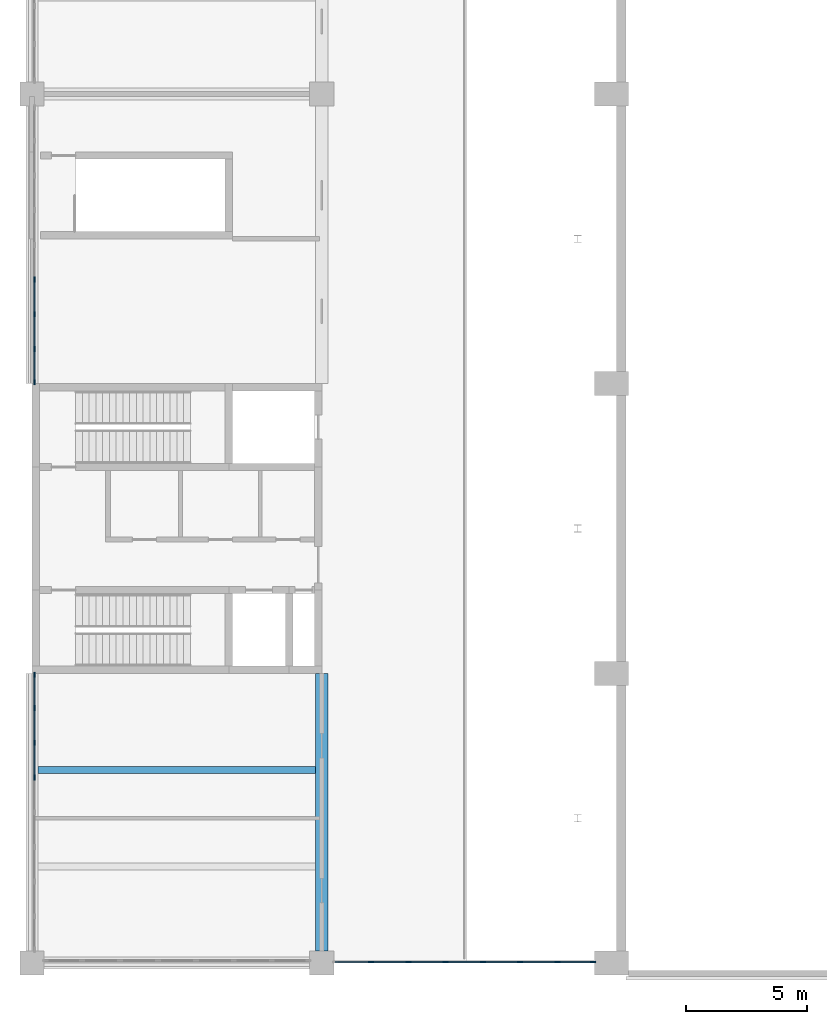
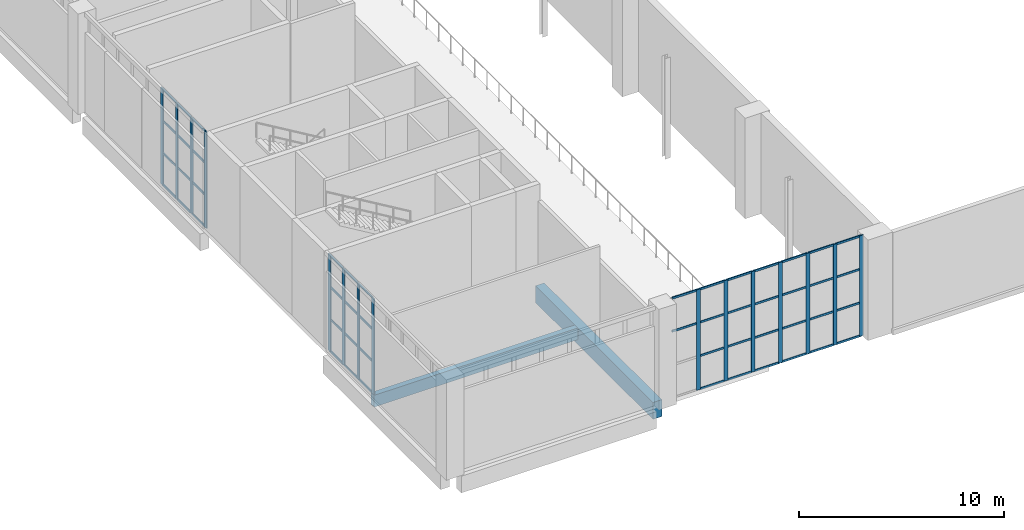
# One storey, part 13 of 72: 65 members, 2 beams, 3 elements without a shape of their own.
"""IFC4 building model written with IfcOpenShell, lengths in metres."""

from ifc_helpers import new_model, si_unit, direction, frame, origin, origin_2d, place, context, subcontext, project, spatial, rectangle, extrude, material, layer, layer_set, material_profile, profile_set, type_object, element, aggregate, save


model = new_model("IFC4")

# Units and contexts
model_context = context("Model", 3, precision=1e-05, world=origin(), true_north=direction((0.0, 1.0)))
body_context = subcontext(model_context, "Body", "Model", "MODEL_VIEW")
ifc_project = project(units=[si_unit("LENGTHUNIT", "METRE"), si_unit("AREAUNIT", "SQUARE_METRE"), si_unit("VOLUMEUNIT", "CUBIC_METRE"), si_unit("PLANEANGLEUNIT", "RADIAN"), si_unit("MASSUNIT", "GRAM", prefix="KILO")], contexts=[model_context])

# Site, building, storey
site_placement = place(None, origin())
site = spatial("IfcSite", under=ifc_project, at=site_placement, CompositionType="ELEMENT")
building_placement = place(site_placement, origin())
building = spatial("IfcBuilding", under=site, at=building_placement, Name="Lilac Gate Convention Centre", CompositionType="ELEMENT")
storey_placement = place(building_placement, frame((0.0, 0.0, 6.0)))
storey = spatial("IfcBuildingStorey", under=building, at=storey_placement, Name="L01", CompositionType="ELEMENT", Elevation=6.0)

# Curtain wall, members
ifc_material_1 = material(Name="Aluminium framed double glazing", Category="aluminium")
ifc_layer = layer(ifc_material_1, 0.199951171875)
ifc_layer_set = layer_set([ifc_layer], Name="Aluminium framed double glazing")
curtain_wall_type = type_object("IfcCurtainWallType", Name="Unitised curtain wall 1500", PredefinedType="NOTDEFINED", material=ifc_layer_set)
curtain_wall_1_placement = place(storey_placement, origin())
curtain_wall_1 = element("IfcCurtainWall", 1, at=curtain_wall_1_placement, inside=storey, type_object=curtain_wall_type, Name="Curtain wall PW L01 11", PredefinedType="NOTDEFINED")
ifc_material_2 = material(Name="Aluminium alloy 6063", Category="aluminium")
ifc_material_profile_1 = material_profile(ifc_material_2, rectangle(XDim=0.06005859375, YDim=0.219970703125, at=origin_2d()), Name="Curtain wall mullion 60 x 220")
ifc_profile_set_1 = profile_set([ifc_material_profile_1], Name="Aluminium alloy 6063")
member_type_1 = type_object("IfcMemberType", Name="Curtain wall mullion 60 x 220", PredefinedType="MULLION", material=ifc_profile_set_1)
member_1_placement = place(storey_placement, frame((6.10009765625, 58.3125, 0.0), z_axis=(0.0, 0.0, 1.0), x_axis=(1.0, 0.0, 0.0)))
member_1 = element("IfcMember", 2, at=member_1_placement, type_object=member_type_1, Name="CW mullion 6", PredefinedType="MULLION", context=body_context, shape_type="SweptSolid", body=[
    extrude(rectangle(XDim=0.06005859375, YDim=0.219970703125, at=origin_2d()), origin(), (0.0, 0.0, 1.0), 5.75),
])
member_2_placement = place(storey_placement, frame((6.10009765625, 56.875, 0.0), z_axis=(0.0, 0.0, 1.0), x_axis=(1.0, 0.0, 0.0)))
member_2 = element("IfcMember", 3, at=member_2_placement, type_object=member_type_1, Name="CW mullion 7", PredefinedType="MULLION", context=body_context, shape_type="SweptSolid", body=[
    extrude(rectangle(XDim=0.06005859375, YDim=0.219970703125, at=origin_2d()), origin(), (0.0, 0.0, 1.0), 5.75),
])
member_3_placement = place(storey_placement, frame((6.10009765625, 55.4375, 0.0), z_axis=(0.0, 0.0, 1.0), x_axis=(1.0, 0.0, 0.0)))
member_3 = element("IfcMember", 4, at=member_3_placement, type_object=member_type_1, Name="CW mullion 8", PredefinedType="MULLION", context=body_context, shape_type="SweptSolid", body=[
    extrude(rectangle(XDim=0.06005859375, YDim=0.219970703125, at=origin_2d()), origin(), (0.0, 0.0, 1.0), 5.75),
])
member_4_placement = place(storey_placement, frame((6.10009765625, 54.06005859375, 0.0), z_axis=(0.0, 0.0, 1.0), x_axis=(1.0, 0.0, 0.0)))
member_4 = element("IfcMember", 5, at=member_4_placement, type_object=member_type_1, Name="CW mullion 9", PredefinedType="MULLION", context=body_context, shape_type="SweptSolid", body=[
    extrude(rectangle(XDim=0.06005859375, YDim=0.219970703125, at=origin_2d()), origin(), (0.0, 0.0, 1.0), 5.75),
])

curtain_wall_2_placement = place(storey_placement, origin())
curtain_wall_2 = element("IfcCurtainWall", 6, at=curtain_wall_2_placement, inside=storey, type_object=curtain_wall_type, Name="Curtain wall PW L01 12", PredefinedType="NOTDEFINED")
member_5_placement = place(storey_placement, frame((6.10009765625, 41.93994140625, 0.0), z_axis=(0.0, 0.0, 1.0), x_axis=(1.0, 0.0, 0.0)))
member_5 = element("IfcMember", 7, at=member_5_placement, type_object=member_type_1, Name="CW mullion 1", PredefinedType="MULLION", context=body_context, shape_type="SweptSolid", body=[
    extrude(rectangle(XDim=0.06005859375, YDim=0.219970703125, at=origin_2d()), origin(), (0.0, 0.0, 1.0), 5.75),
])
member_6_placement = place(storey_placement, frame((6.10009765625, 40.5625, 0.0), z_axis=(0.0, 0.0, 1.0), x_axis=(1.0, 0.0, 0.0)))
member_6 = element("IfcMember", 8, at=member_6_placement, type_object=member_type_1, Name="CW mullion 2", PredefinedType="MULLION", context=body_context, shape_type="SweptSolid", body=[
    extrude(rectangle(XDim=0.06005859375, YDim=0.219970703125, at=origin_2d()), origin(), (0.0, 0.0, 1.0), 5.75),
])
member_7_placement = place(storey_placement, frame((6.10009765625, 39.125, 0.0), z_axis=(0.0, 0.0, 1.0), x_axis=(1.0, 0.0, 0.0)))
member_7 = element("IfcMember", 9, at=member_7_placement, type_object=member_type_1, Name="CW mullion 3", PredefinedType="MULLION", context=body_context, shape_type="SweptSolid", body=[
    extrude(rectangle(XDim=0.06005859375, YDim=0.219970703125, at=origin_2d()), origin(), (0.0, 0.0, 1.0), 5.75),
])
member_8_placement = place(storey_placement, frame((6.10009765625, 37.6875, 0.0), z_axis=(0.0, 0.0, 1.0), x_axis=(1.0, 0.0, 0.0)))
member_8 = element("IfcMember", 10, at=member_8_placement, type_object=member_type_1, Name="CW mullion 4", PredefinedType="MULLION", context=body_context, shape_type="SweptSolid", body=[
    extrude(rectangle(XDim=0.06005859375, YDim=0.219970703125, at=origin_2d()), origin(), (0.0, 0.0, 1.0), 5.75),
])

curtain_wall_3_placement = place(storey_placement, origin())
curtain_wall_3 = element("IfcCurtainWall", 11, at=curtain_wall_3_placement, inside=storey, type_object=curtain_wall_type, Name="Galleria end glazing L01", PredefinedType="NOTDEFINED")
member_9_placement = place(storey_placement, frame((20.04296875, 30.050048828125, 0.0), z_axis=(0.0, 0.0, 1.0), x_axis=(0.0, 1.0, 0.0)))
member_9 = element("IfcMember", 12, at=member_9_placement, type_object=member_type_1, Name="CW mullion 2", PredefinedType="MULLION", context=body_context, shape_type="SweptSolid", body=[
    extrude(rectangle(XDim=0.06005859375, YDim=0.219970703125, at=origin_2d()), origin(), (0.0, 0.0, 1.0), 6.0),
])
member_10_placement = place(storey_placement, frame((21.585693359375, 30.050048828125, 0.0), z_axis=(0.0, 0.0, 1.0), x_axis=(0.0, 1.0, 0.0)))
member_10 = element("IfcMember", 13, at=member_10_placement, type_object=member_type_1, Name="CW mullion 3", PredefinedType="MULLION", context=body_context, shape_type="SweptSolid", body=[
    extrude(rectangle(XDim=0.06005859375, YDim=0.219970703125, at=origin_2d()), origin(), (0.0, 0.0, 1.0), 6.0),
])
member_11_placement = place(storey_placement, frame((23.128662109375, 30.050048828125, 0.0), z_axis=(0.0, 0.0, 1.0), x_axis=(0.0, 1.0, 0.0)))
member_11 = element("IfcMember", 14, at=member_11_placement, type_object=member_type_1, Name="CW mullion 4", PredefinedType="MULLION", context=body_context, shape_type="SweptSolid", body=[
    extrude(rectangle(XDim=0.06005859375, YDim=0.219970703125, at=origin_2d()), origin(), (0.0, 0.0, 1.0), 6.0),
])
member_12_placement = place(storey_placement, frame((24.67138671875, 30.050048828125, 0.0), z_axis=(0.0, 0.0, 1.0), x_axis=(0.0, 1.0, 0.0)))
member_12 = element("IfcMember", 15, at=member_12_placement, type_object=member_type_1, Name="CW mullion 5", PredefinedType="MULLION", context=body_context, shape_type="SweptSolid", body=[
    extrude(rectangle(XDim=0.06005859375, YDim=0.219970703125, at=origin_2d()), origin(), (0.0, 0.0, 1.0), 6.0),
])
member_13_placement = place(storey_placement, frame((26.21435546875, 30.050048828125, 0.0), z_axis=(0.0, 0.0, 1.0), x_axis=(0.0, 1.0, 0.0)))
member_13 = element("IfcMember", 16, at=member_13_placement, type_object=member_type_1, Name="CW mullion 6", PredefinedType="MULLION", context=body_context, shape_type="SweptSolid", body=[
    extrude(rectangle(XDim=0.06005859375, YDim=0.219970703125, at=origin_2d()), origin(), (0.0, 0.0, 1.0), 6.0),
])
member_14_placement = place(storey_placement, frame((27.757080078125, 30.050048828125, 0.0), z_axis=(0.0, 0.0, 1.0), x_axis=(0.0, 1.0, 0.0)))
member_14 = element("IfcMember", 17, at=member_14_placement, type_object=member_type_1, Name="CW mullion 7", PredefinedType="MULLION", context=body_context, shape_type="SweptSolid", body=[
    extrude(rectangle(XDim=0.06005859375, YDim=0.219970703125, at=origin_2d()), origin(), (0.0, 0.0, 1.0), 6.0),
])
member_15_placement = place(storey_placement, frame((29.239990234375, 30.050048828125, 0.0), z_axis=(0.0, 0.0, 1.0), x_axis=(0.0, 1.0, 0.0)))
member_15 = element("IfcMember", 18, at=member_15_placement, type_object=member_type_1, Name="CW mullion 8", PredefinedType="MULLION", context=body_context, shape_type="SweptSolid", body=[
    extrude(rectangle(XDim=0.06005859375, YDim=0.219970703125, at=origin_2d()), origin(), (0.0, 0.0, 1.0), 6.0),
])

# Member
ifc_material_profile_2 = material_profile(ifc_material_2, rectangle(XDim=0.06005859375, YDim=0.1201171875, at=origin_2d()), Name="Curtain wall transom 60 x 120")
ifc_profile_set_2 = profile_set([ifc_material_profile_2], Name="Aluminium alloy 6063")
member_type_2 = type_object("IfcMemberType", Name="Curtain wall transom 60 x 120", PredefinedType="USERDEFINED", material=ifc_profile_set_2)
member_16_placement = place(storey_placement, frame((6.10009765625, 58.282470703125, 0.030029296875), z_axis=(0.0, -1.0, 0.0), x_axis=(1.0, 0.0, 0.0)))
member_16 = element("IfcMember", 19, at=member_16_placement, type_object=member_type_2, Name="CW transom 6.1", ObjectType="TRANSOM", PredefinedType="USERDEFINED", context=body_context, shape_type="SweptSolid", body=[
    extrude(rectangle(XDim=0.06005859375, YDim=0.1201171875, at=origin_2d()), origin(), (0.0, 0.0, 1.0), 1.37744140625),
])

member_17_placement = place(storey_placement, frame((6.10009765625, 58.282470703125, 1.916748046875), z_axis=(0.0, -1.0, 0.0), x_axis=(1.0, 0.0, 0.0)))
member_17 = element("IfcMember", 20, at=member_17_placement, type_object=member_type_2, Name="CW transom 6.2", ObjectType="TRANSOM", PredefinedType="USERDEFINED", context=body_context, shape_type="SweptSolid", body=[
    extrude(rectangle(XDim=0.06005859375, YDim=0.1201171875, at=origin_2d()), origin(), (0.0, 0.0, 1.0), 1.37744140625),
])

member_18_placement = place(storey_placement, frame((6.10009765625, 58.282470703125, 3.833251953125), z_axis=(0.0, -1.0, 0.0), x_axis=(1.0, 0.0, 0.0)))
member_18 = element("IfcMember", 21, at=member_18_placement, type_object=member_type_2, Name="CW transom 6.3", ObjectType="TRANSOM", PredefinedType="USERDEFINED", context=body_context, shape_type="SweptSolid", body=[
    extrude(rectangle(XDim=0.06005859375, YDim=0.1201171875, at=origin_2d()), origin(), (0.0, 0.0, 1.0), 1.37744140625),
])

member_19_placement = place(storey_placement, frame((6.10009765625, 58.282470703125, 5.719970703125), z_axis=(0.0, -1.0, 0.0), x_axis=(1.0, 0.0, 0.0)))
member_19 = element("IfcMember", 22, at=member_19_placement, type_object=member_type_2, Name="CW transom 6.4", ObjectType="TRANSOM", PredefinedType="USERDEFINED", context=body_context, shape_type="SweptSolid", body=[
    extrude(rectangle(XDim=0.06005859375, YDim=0.1201171875, at=origin_2d()), origin(), (0.0, 0.0, 1.0), 1.37744140625),
])

member_20_placement = place(storey_placement, frame((6.10009765625, 56.844970703125, 0.030029296875), z_axis=(0.0, -1.0, 0.0), x_axis=(1.0, 0.0, 0.0)))
member_20 = element("IfcMember", 23, at=member_20_placement, type_object=member_type_2, Name="CW transom 7.1", ObjectType="TRANSOM", PredefinedType="USERDEFINED", context=body_context, shape_type="SweptSolid", body=[
    extrude(rectangle(XDim=0.06005859375, YDim=0.1201171875, at=origin_2d()), origin(), (0.0, 0.0, 1.0), 1.37744140625),
])

member_21_placement = place(storey_placement, frame((6.10009765625, 56.844970703125, 1.916748046875), z_axis=(0.0, -1.0, 0.0), x_axis=(1.0, 0.0, 0.0)))
member_21 = element("IfcMember", 24, at=member_21_placement, type_object=member_type_2, Name="CW transom 7.2", ObjectType="TRANSOM", PredefinedType="USERDEFINED", context=body_context, shape_type="SweptSolid", body=[
    extrude(rectangle(XDim=0.06005859375, YDim=0.1201171875, at=origin_2d()), origin(), (0.0, 0.0, 1.0), 1.37744140625),
])

member_22_placement = place(storey_placement, frame((6.10009765625, 56.844970703125, 3.833251953125), z_axis=(0.0, -1.0, 0.0), x_axis=(1.0, 0.0, 0.0)))
member_22 = element("IfcMember", 25, at=member_22_placement, type_object=member_type_2, Name="CW transom 7.3", ObjectType="TRANSOM", PredefinedType="USERDEFINED", context=body_context, shape_type="SweptSolid", body=[
    extrude(rectangle(XDim=0.06005859375, YDim=0.1201171875, at=origin_2d()), origin(), (0.0, 0.0, 1.0), 1.37744140625),
])

member_23_placement = place(storey_placement, frame((6.10009765625, 56.844970703125, 5.719970703125), z_axis=(0.0, -1.0, 0.0), x_axis=(1.0, 0.0, 0.0)))
member_23 = element("IfcMember", 26, at=member_23_placement, type_object=member_type_2, Name="CW transom 7.4", ObjectType="TRANSOM", PredefinedType="USERDEFINED", context=body_context, shape_type="SweptSolid", body=[
    extrude(rectangle(XDim=0.06005859375, YDim=0.1201171875, at=origin_2d()), origin(), (0.0, 0.0, 1.0), 1.37744140625),
])

member_24_placement = place(storey_placement, frame((6.10009765625, 55.407470703125, 0.030029296875), z_axis=(0.0, -1.0, 0.0), x_axis=(1.0, 0.0, 0.0)))
member_24 = element("IfcMember", 27, at=member_24_placement, type_object=member_type_2, Name="CW transom 8.1", ObjectType="TRANSOM", PredefinedType="USERDEFINED", context=body_context, shape_type="SweptSolid", body=[
    extrude(rectangle(XDim=0.06005859375, YDim=0.1201171875, at=origin_2d()), origin(), (0.0, 0.0, 1.0), 1.347412109375),
])

member_25_placement = place(storey_placement, frame((6.10009765625, 55.407470703125, 1.916748046875), z_axis=(0.0, -1.0, 0.0), x_axis=(1.0, 0.0, 0.0)))
member_25 = element("IfcMember", 28, at=member_25_placement, type_object=member_type_2, Name="CW transom 8.2", ObjectType="TRANSOM", PredefinedType="USERDEFINED", context=body_context, shape_type="SweptSolid", body=[
    extrude(rectangle(XDim=0.06005859375, YDim=0.1201171875, at=origin_2d()), origin(), (0.0, 0.0, 1.0), 1.347412109375),
])

member_26_placement = place(storey_placement, frame((6.10009765625, 55.407470703125, 3.833251953125), z_axis=(0.0, -1.0, 0.0), x_axis=(1.0, 0.0, 0.0)))
member_26 = element("IfcMember", 29, at=member_26_placement, type_object=member_type_2, Name="CW transom 8.3", ObjectType="TRANSOM", PredefinedType="USERDEFINED", context=body_context, shape_type="SweptSolid", body=[
    extrude(rectangle(XDim=0.06005859375, YDim=0.1201171875, at=origin_2d()), origin(), (0.0, 0.0, 1.0), 1.347412109375),
])

member_27_placement = place(storey_placement, frame((6.10009765625, 55.407470703125, 5.719970703125), z_axis=(0.0, -1.0, 0.0), x_axis=(1.0, 0.0, 0.0)))
member_27 = element("IfcMember", 30, at=member_27_placement, type_object=member_type_2, Name="CW transom 8.4", ObjectType="TRANSOM", PredefinedType="USERDEFINED", context=body_context, shape_type="SweptSolid", body=[
    extrude(rectangle(XDim=0.06005859375, YDim=0.1201171875, at=origin_2d()), origin(), (0.0, 0.0, 1.0), 1.347412109375),
])

aggregate(curtain_wall_1, [member_1, member_2, member_3, member_4, member_16, member_17, member_18, member_19, member_20, member_21, member_22, member_23, member_24, member_25, member_26, member_27])

member_28_placement = place(storey_placement, frame((6.10009765625, 41.93994140625, 0.030029296875), z_axis=(0.0, -1.0, 0.0), x_axis=(1.0, 0.0, 0.0)))
member_28 = element("IfcMember", 31, at=member_28_placement, type_object=member_type_2, Name="CW transom 1.1", ObjectType="TRANSOM", PredefinedType="USERDEFINED", context=body_context, shape_type="SweptSolid", body=[
    extrude(rectangle(XDim=0.06005859375, YDim=0.1201171875, at=origin_2d()), origin(), (0.0, 0.0, 1.0), 1.347412109375),
])

member_29_placement = place(storey_placement, frame((6.10009765625, 41.93994140625, 1.916748046875), z_axis=(0.0, -1.0, 0.0), x_axis=(1.0, 0.0, 0.0)))
member_29 = element("IfcMember", 32, at=member_29_placement, type_object=member_type_2, Name="CW transom 1.2", ObjectType="TRANSOM", PredefinedType="USERDEFINED", context=body_context, shape_type="SweptSolid", body=[
    extrude(rectangle(XDim=0.06005859375, YDim=0.1201171875, at=origin_2d()), origin(), (0.0, 0.0, 1.0), 1.347412109375),
])

member_30_placement = place(storey_placement, frame((6.10009765625, 41.93994140625, 3.833251953125), z_axis=(0.0, -1.0, 0.0), x_axis=(1.0, 0.0, 0.0)))
member_30 = element("IfcMember", 33, at=member_30_placement, type_object=member_type_2, Name="CW transom 1.3", ObjectType="TRANSOM", PredefinedType="USERDEFINED", context=body_context, shape_type="SweptSolid", body=[
    extrude(rectangle(XDim=0.06005859375, YDim=0.1201171875, at=origin_2d()), origin(), (0.0, 0.0, 1.0), 1.347412109375),
])

member_31_placement = place(storey_placement, frame((6.10009765625, 41.93994140625, 5.719970703125), z_axis=(0.0, -1.0, 0.0), x_axis=(1.0, 0.0, 0.0)))
member_31 = element("IfcMember", 34, at=member_31_placement, type_object=member_type_2, Name="CW transom 1.4", ObjectType="TRANSOM", PredefinedType="USERDEFINED", context=body_context, shape_type="SweptSolid", body=[
    extrude(rectangle(XDim=0.06005859375, YDim=0.1201171875, at=origin_2d()), origin(), (0.0, 0.0, 1.0), 1.347412109375),
])

member_32_placement = place(storey_placement, frame((6.10009765625, 40.532470703125, 0.030029296875), z_axis=(0.0, -1.0, 0.0), x_axis=(1.0, 0.0, 0.0)))
member_32 = element("IfcMember", 35, at=member_32_placement, type_object=member_type_2, Name="CW transom 2.1", ObjectType="TRANSOM", PredefinedType="USERDEFINED", context=body_context, shape_type="SweptSolid", body=[
    extrude(rectangle(XDim=0.06005859375, YDim=0.1201171875, at=origin_2d()), origin(), (0.0, 0.0, 1.0), 1.37744140625),
])

member_33_placement = place(storey_placement, frame((6.10009765625, 40.532470703125, 1.916748046875), z_axis=(0.0, -1.0, 0.0), x_axis=(1.0, 0.0, 0.0)))
member_33 = element("IfcMember", 36, at=member_33_placement, type_object=member_type_2, Name="CW transom 2.2", ObjectType="TRANSOM", PredefinedType="USERDEFINED", context=body_context, shape_type="SweptSolid", body=[
    extrude(rectangle(XDim=0.06005859375, YDim=0.1201171875, at=origin_2d()), origin(), (0.0, 0.0, 1.0), 1.37744140625),
])

member_34_placement = place(storey_placement, frame((6.10009765625, 40.532470703125, 3.833251953125), z_axis=(0.0, -1.0, 0.0), x_axis=(1.0, 0.0, 0.0)))
member_34 = element("IfcMember", 37, at=member_34_placement, type_object=member_type_2, Name="CW transom 2.3", ObjectType="TRANSOM", PredefinedType="USERDEFINED", context=body_context, shape_type="SweptSolid", body=[
    extrude(rectangle(XDim=0.06005859375, YDim=0.1201171875, at=origin_2d()), origin(), (0.0, 0.0, 1.0), 1.37744140625),
])

member_35_placement = place(storey_placement, frame((6.10009765625, 40.532470703125, 5.719970703125), z_axis=(0.0, -1.0, 0.0), x_axis=(1.0, 0.0, 0.0)))
member_35 = element("IfcMember", 38, at=member_35_placement, type_object=member_type_2, Name="CW transom 2.4", ObjectType="TRANSOM", PredefinedType="USERDEFINED", context=body_context, shape_type="SweptSolid", body=[
    extrude(rectangle(XDim=0.06005859375, YDim=0.1201171875, at=origin_2d()), origin(), (0.0, 0.0, 1.0), 1.37744140625),
])

member_36_placement = place(storey_placement, frame((6.10009765625, 39.094970703125, 0.030029296875), z_axis=(0.0, -1.0, 0.0), x_axis=(1.0, 0.0, 0.0)))
member_36 = element("IfcMember", 39, at=member_36_placement, type_object=member_type_2, Name="CW transom 3.1", ObjectType="TRANSOM", PredefinedType="USERDEFINED", context=body_context, shape_type="SweptSolid", body=[
    extrude(rectangle(XDim=0.06005859375, YDim=0.1201171875, at=origin_2d()), origin(), (0.0, 0.0, 1.0), 1.37744140625),
])

member_37_placement = place(storey_placement, frame((6.10009765625, 39.094970703125, 1.916748046875), z_axis=(0.0, -1.0, 0.0), x_axis=(1.0, 0.0, 0.0)))
member_37 = element("IfcMember", 40, at=member_37_placement, type_object=member_type_2, Name="CW transom 3.2", ObjectType="TRANSOM", PredefinedType="USERDEFINED", context=body_context, shape_type="SweptSolid", body=[
    extrude(rectangle(XDim=0.06005859375, YDim=0.1201171875, at=origin_2d()), origin(), (0.0, 0.0, 1.0), 1.37744140625),
])

member_38_placement = place(storey_placement, frame((6.10009765625, 39.094970703125, 3.833251953125), z_axis=(0.0, -1.0, 0.0), x_axis=(1.0, 0.0, 0.0)))
member_38 = element("IfcMember", 41, at=member_38_placement, type_object=member_type_2, Name="CW transom 3.3", ObjectType="TRANSOM", PredefinedType="USERDEFINED", context=body_context, shape_type="SweptSolid", body=[
    extrude(rectangle(XDim=0.06005859375, YDim=0.1201171875, at=origin_2d()), origin(), (0.0, 0.0, 1.0), 1.37744140625),
])

member_39_placement = place(storey_placement, frame((6.10009765625, 39.094970703125, 5.719970703125), z_axis=(0.0, -1.0, 0.0), x_axis=(1.0, 0.0, 0.0)))
member_39 = element("IfcMember", 42, at=member_39_placement, type_object=member_type_2, Name="CW transom 3.4", ObjectType="TRANSOM", PredefinedType="USERDEFINED", context=body_context, shape_type="SweptSolid", body=[
    extrude(rectangle(XDim=0.06005859375, YDim=0.1201171875, at=origin_2d()), origin(), (0.0, 0.0, 1.0), 1.37744140625),
])

aggregate(curtain_wall_2, [member_5, member_6, member_7, member_8, member_28, member_29, member_30, member_31, member_32, member_33, member_34, member_35, member_36, member_37, member_38, member_39])

member_40_placement = place(storey_placement, frame((18.56005859375, 30.050048828125, 4.0), z_axis=(1.0, 0.0, 0.0), x_axis=(0.0, 1.0, 0.0)))
member_40 = element("IfcMember", 43, at=member_40_placement, type_object=member_type_2, Name="CW transom 1.3", ObjectType="TRANSOM", PredefinedType="USERDEFINED", context=body_context, shape_type="SweptSolid", body=[
    extrude(rectangle(XDim=0.06005859375, YDim=0.1201171875, at=origin_2d()), origin(), (0.0, 0.0, 1.0), 1.452880859375),
])

member_41_placement = place(storey_placement, frame((18.56005859375, 30.050048828125, 5.969970703125), z_axis=(1.0, 0.0, 0.0), x_axis=(0.0, 1.0, 0.0)))
member_41 = element("IfcMember", 44, at=member_41_placement, type_object=member_type_2, Name="CW transom 1.4", ObjectType="TRANSOM", PredefinedType="USERDEFINED", context=body_context, shape_type="SweptSolid", body=[
    extrude(rectangle(XDim=0.06005859375, YDim=0.1201171875, at=origin_2d()), origin(), (0.0, 0.0, 1.0), 1.452880859375),
])

member_42_placement = place(storey_placement, frame((20.07275390625, 30.050048828125, 0.030029296875), z_axis=(1.0, 0.0, 0.0), x_axis=(0.0, 1.0, 0.0)))
member_42 = element("IfcMember", 45, at=member_42_placement, type_object=member_type_2, Name="CW transom 2.1", ObjectType="TRANSOM", PredefinedType="USERDEFINED", context=body_context, shape_type="SweptSolid", body=[
    extrude(rectangle(XDim=0.06005859375, YDim=0.1201171875, at=origin_2d()), origin(), (0.0, 0.0, 1.0), 1.48291015625),
])

member_43_placement = place(storey_placement, frame((20.07275390625, 30.050048828125, 2.0), z_axis=(1.0, 0.0, 0.0), x_axis=(0.0, 1.0, 0.0)))
member_43 = element("IfcMember", 46, at=member_43_placement, type_object=member_type_2, Name="CW transom 2.2", ObjectType="TRANSOM", PredefinedType="USERDEFINED", context=body_context, shape_type="SweptSolid", body=[
    extrude(rectangle(XDim=0.06005859375, YDim=0.1201171875, at=origin_2d()), origin(), (0.0, 0.0, 1.0), 1.48291015625),
])

member_44_placement = place(storey_placement, frame((20.07275390625, 30.050048828125, 4.0), z_axis=(1.0, 0.0, 0.0), x_axis=(0.0, 1.0, 0.0)))
member_44 = element("IfcMember", 47, at=member_44_placement, type_object=member_type_2, Name="CW transom 2.3", ObjectType="TRANSOM", PredefinedType="USERDEFINED", context=body_context, shape_type="SweptSolid", body=[
    extrude(rectangle(XDim=0.06005859375, YDim=0.1201171875, at=origin_2d()), origin(), (0.0, 0.0, 1.0), 1.48291015625),
])

member_45_placement = place(storey_placement, frame((20.07275390625, 30.050048828125, 5.969970703125), z_axis=(1.0, 0.0, 0.0), x_axis=(0.0, 1.0, 0.0)))
member_45 = element("IfcMember", 48, at=member_45_placement, type_object=member_type_2, Name="CW transom 2.4", ObjectType="TRANSOM", PredefinedType="USERDEFINED", context=body_context, shape_type="SweptSolid", body=[
    extrude(rectangle(XDim=0.06005859375, YDim=0.1201171875, at=origin_2d()), origin(), (0.0, 0.0, 1.0), 1.48291015625),
])

member_46_placement = place(storey_placement, frame((21.61572265625, 30.050048828125, 0.030029296875), z_axis=(1.0, 0.0, 0.0), x_axis=(0.0, 1.0, 0.0)))
member_46 = element("IfcMember", 49, at=member_46_placement, type_object=member_type_2, Name="CW transom 3.1", ObjectType="TRANSOM", PredefinedType="USERDEFINED", context=body_context, shape_type="SweptSolid", body=[
    extrude(rectangle(XDim=0.06005859375, YDim=0.1201171875, at=origin_2d()), origin(), (0.0, 0.0, 1.0), 1.48291015625),
])

member_47_placement = place(storey_placement, frame((21.61572265625, 30.050048828125, 2.0), z_axis=(1.0, 0.0, 0.0), x_axis=(0.0, 1.0, 0.0)))
member_47 = element("IfcMember", 50, at=member_47_placement, type_object=member_type_2, Name="CW transom 3.2", ObjectType="TRANSOM", PredefinedType="USERDEFINED", context=body_context, shape_type="SweptSolid", body=[
    extrude(rectangle(XDim=0.06005859375, YDim=0.1201171875, at=origin_2d()), origin(), (0.0, 0.0, 1.0), 1.48291015625),
])

member_48_placement = place(storey_placement, frame((21.61572265625, 30.050048828125, 4.0), z_axis=(1.0, 0.0, 0.0), x_axis=(0.0, 1.0, 0.0)))
member_48 = element("IfcMember", 51, at=member_48_placement, type_object=member_type_2, Name="CW transom 3.3", ObjectType="TRANSOM", PredefinedType="USERDEFINED", context=body_context, shape_type="SweptSolid", body=[
    extrude(rectangle(XDim=0.06005859375, YDim=0.1201171875, at=origin_2d()), origin(), (0.0, 0.0, 1.0), 1.48291015625),
])

member_49_placement = place(storey_placement, frame((21.61572265625, 30.050048828125, 5.969970703125), z_axis=(1.0, 0.0, 0.0), x_axis=(0.0, 1.0, 0.0)))
member_49 = element("IfcMember", 52, at=member_49_placement, type_object=member_type_2, Name="CW transom 3.4", ObjectType="TRANSOM", PredefinedType="USERDEFINED", context=body_context, shape_type="SweptSolid", body=[
    extrude(rectangle(XDim=0.06005859375, YDim=0.1201171875, at=origin_2d()), origin(), (0.0, 0.0, 1.0), 1.48291015625),
])

member_50_placement = place(storey_placement, frame((23.15869140625, 30.050048828125, 0.030029296875), z_axis=(1.0, 0.0, 0.0), x_axis=(0.0, 1.0, 0.0)))
member_50 = element("IfcMember", 53, at=member_50_placement, type_object=member_type_2, Name="CW transom 4.1", ObjectType="TRANSOM", PredefinedType="USERDEFINED", context=body_context, shape_type="SweptSolid", body=[
    extrude(rectangle(XDim=0.06005859375, YDim=0.1201171875, at=origin_2d()), origin(), (0.0, 0.0, 1.0), 1.482666015625),
])

member_51_placement = place(storey_placement, frame((23.15869140625, 30.050048828125, 2.0), z_axis=(1.0, 0.0, 0.0), x_axis=(0.0, 1.0, 0.0)))
member_51 = element("IfcMember", 54, at=member_51_placement, type_object=member_type_2, Name="CW transom 4.2", ObjectType="TRANSOM", PredefinedType="USERDEFINED", context=body_context, shape_type="SweptSolid", body=[
    extrude(rectangle(XDim=0.06005859375, YDim=0.1201171875, at=origin_2d()), origin(), (0.0, 0.0, 1.0), 1.482666015625),
])

member_52_placement = place(storey_placement, frame((23.15869140625, 30.050048828125, 4.0), z_axis=(1.0, 0.0, 0.0), x_axis=(0.0, 1.0, 0.0)))
member_52 = element("IfcMember", 55, at=member_52_placement, type_object=member_type_2, Name="CW transom 4.3", ObjectType="TRANSOM", PredefinedType="USERDEFINED", context=body_context, shape_type="SweptSolid", body=[
    extrude(rectangle(XDim=0.06005859375, YDim=0.1201171875, at=origin_2d()), origin(), (0.0, 0.0, 1.0), 1.482666015625),
])

member_53_placement = place(storey_placement, frame((23.15869140625, 30.050048828125, 5.969970703125), z_axis=(1.0, 0.0, 0.0), x_axis=(0.0, 1.0, 0.0)))
member_53 = element("IfcMember", 56, at=member_53_placement, type_object=member_type_2, Name="CW transom 4.4", ObjectType="TRANSOM", PredefinedType="USERDEFINED", context=body_context, shape_type="SweptSolid", body=[
    extrude(rectangle(XDim=0.06005859375, YDim=0.1201171875, at=origin_2d()), origin(), (0.0, 0.0, 1.0), 1.482666015625),
])

member_54_placement = place(storey_placement, frame((24.701416015625, 30.050048828125, 0.030029296875), z_axis=(1.0, 0.0, 0.0), x_axis=(0.0, 1.0, 0.0)))
member_54 = element("IfcMember", 57, at=member_54_placement, type_object=member_type_2, Name="CW transom 5.1", ObjectType="TRANSOM", PredefinedType="USERDEFINED", context=body_context, shape_type="SweptSolid", body=[
    extrude(rectangle(XDim=0.06005859375, YDim=0.1201171875, at=origin_2d()), origin(), (0.0, 0.0, 1.0), 1.48291015625),
])

member_55_placement = place(storey_placement, frame((24.701416015625, 30.050048828125, 2.0), z_axis=(1.0, 0.0, 0.0), x_axis=(0.0, 1.0, 0.0)))
member_55 = element("IfcMember", 58, at=member_55_placement, type_object=member_type_2, Name="CW transom 5.2", ObjectType="TRANSOM", PredefinedType="USERDEFINED", context=body_context, shape_type="SweptSolid", body=[
    extrude(rectangle(XDim=0.06005859375, YDim=0.1201171875, at=origin_2d()), origin(), (0.0, 0.0, 1.0), 1.48291015625),
])

member_56_placement = place(storey_placement, frame((24.701416015625, 30.050048828125, 4.0), z_axis=(1.0, 0.0, 0.0), x_axis=(0.0, 1.0, 0.0)))
member_56 = element("IfcMember", 59, at=member_56_placement, type_object=member_type_2, Name="CW transom 5.3", ObjectType="TRANSOM", PredefinedType="USERDEFINED", context=body_context, shape_type="SweptSolid", body=[
    extrude(rectangle(XDim=0.06005859375, YDim=0.1201171875, at=origin_2d()), origin(), (0.0, 0.0, 1.0), 1.48291015625),
])

member_57_placement = place(storey_placement, frame((24.701416015625, 30.050048828125, 5.969970703125), z_axis=(1.0, 0.0, 0.0), x_axis=(0.0, 1.0, 0.0)))
member_57 = element("IfcMember", 60, at=member_57_placement, type_object=member_type_2, Name="CW transom 5.4", ObjectType="TRANSOM", PredefinedType="USERDEFINED", context=body_context, shape_type="SweptSolid", body=[
    extrude(rectangle(XDim=0.06005859375, YDim=0.1201171875, at=origin_2d()), origin(), (0.0, 0.0, 1.0), 1.48291015625),
])

member_58_placement = place(storey_placement, frame((26.244384765625, 30.050048828125, 0.030029296875), z_axis=(1.0, 0.0, 0.0), x_axis=(0.0, 1.0, 0.0)))
member_58 = element("IfcMember", 61, at=member_58_placement, type_object=member_type_2, Name="CW transom 6.1", ObjectType="TRANSOM", PredefinedType="USERDEFINED", context=body_context, shape_type="SweptSolid", body=[
    extrude(rectangle(XDim=0.06005859375, YDim=0.1201171875, at=origin_2d()), origin(), (0.0, 0.0, 1.0), 1.48291015625),
])

member_59_placement = place(storey_placement, frame((26.244384765625, 30.050048828125, 2.0), z_axis=(1.0, 0.0, 0.0), x_axis=(0.0, 1.0, 0.0)))
member_59 = element("IfcMember", 62, at=member_59_placement, type_object=member_type_2, Name="CW transom 6.2", ObjectType="TRANSOM", PredefinedType="USERDEFINED", context=body_context, shape_type="SweptSolid", body=[
    extrude(rectangle(XDim=0.06005859375, YDim=0.1201171875, at=origin_2d()), origin(), (0.0, 0.0, 1.0), 1.48291015625),
])

member_60_placement = place(storey_placement, frame((26.244384765625, 30.050048828125, 4.0), z_axis=(1.0, 0.0, 0.0), x_axis=(0.0, 1.0, 0.0)))
member_60 = element("IfcMember", 63, at=member_60_placement, type_object=member_type_2, Name="CW transom 6.3", ObjectType="TRANSOM", PredefinedType="USERDEFINED", context=body_context, shape_type="SweptSolid", body=[
    extrude(rectangle(XDim=0.06005859375, YDim=0.1201171875, at=origin_2d()), origin(), (0.0, 0.0, 1.0), 1.48291015625),
])

member_61_placement = place(storey_placement, frame((26.244384765625, 30.050048828125, 5.969970703125), z_axis=(1.0, 0.0, 0.0), x_axis=(0.0, 1.0, 0.0)))
member_61 = element("IfcMember", 64, at=member_61_placement, type_object=member_type_2, Name="CW transom 6.4", ObjectType="TRANSOM", PredefinedType="USERDEFINED", context=body_context, shape_type="SweptSolid", body=[
    extrude(rectangle(XDim=0.06005859375, YDim=0.1201171875, at=origin_2d()), origin(), (0.0, 0.0, 1.0), 1.48291015625),
])

member_62_placement = place(storey_placement, frame((27.787109375, 30.050048828125, 0.030029296875), z_axis=(1.0, 0.0, 0.0), x_axis=(0.0, 1.0, 0.0)))
member_62 = element("IfcMember", 65, at=member_62_placement, type_object=member_type_2, Name="CW transom 7.1", ObjectType="TRANSOM", PredefinedType="USERDEFINED", context=body_context, shape_type="SweptSolid", body=[
    extrude(rectangle(XDim=0.06005859375, YDim=0.1201171875, at=origin_2d()), origin(), (0.0, 0.0, 1.0), 1.452880859375),
])

member_63_placement = place(storey_placement, frame((27.787109375, 30.050048828125, 2.0), z_axis=(1.0, 0.0, 0.0), x_axis=(0.0, 1.0, 0.0)))
member_63 = element("IfcMember", 66, at=member_63_placement, type_object=member_type_2, Name="CW transom 7.2", ObjectType="TRANSOM", PredefinedType="USERDEFINED", context=body_context, shape_type="SweptSolid", body=[
    extrude(rectangle(XDim=0.06005859375, YDim=0.1201171875, at=origin_2d()), origin(), (0.0, 0.0, 1.0), 1.452880859375),
])

member_64_placement = place(storey_placement, frame((27.787109375, 30.050048828125, 4.0), z_axis=(1.0, 0.0, 0.0), x_axis=(0.0, 1.0, 0.0)))
member_64 = element("IfcMember", 67, at=member_64_placement, type_object=member_type_2, Name="CW transom 7.3", ObjectType="TRANSOM", PredefinedType="USERDEFINED", context=body_context, shape_type="SweptSolid", body=[
    extrude(rectangle(XDim=0.06005859375, YDim=0.1201171875, at=origin_2d()), origin(), (0.0, 0.0, 1.0), 1.452880859375),
])

member_65_placement = place(storey_placement, frame((27.787109375, 30.050048828125, 5.969970703125), z_axis=(1.0, 0.0, 0.0), x_axis=(0.0, 1.0, 0.0)))
member_65 = element("IfcMember", 68, at=member_65_placement, type_object=member_type_2, Name="CW transom 7.4", ObjectType="TRANSOM", PredefinedType="USERDEFINED", context=body_context, shape_type="SweptSolid", body=[
    extrude(rectangle(XDim=0.06005859375, YDim=0.1201171875, at=origin_2d()), origin(), (0.0, 0.0, 1.0), 1.452880859375),
])

aggregate(curtain_wall_3, [member_9, member_10, member_11, member_12, member_13, member_14, member_15, member_40, member_41, member_42, member_43, member_44, member_45, member_46, member_47, member_48, member_49, member_50, member_51, member_52, member_53, member_54, member_55, member_56, member_57, member_58, member_59, member_60, member_61, member_62, member_63, member_64, member_65])

# Beams
ifc_material_3 = material(Name="Concrete C40", Category="concrete")
ifc_material_profile_3 = material_profile(ifc_material_3, rectangle(XDim=0.5, YDim=1.0, at=origin_2d()), Name="RC 500x1000")
ifc_profile_set_3 = profile_set([ifc_material_profile_3], Name="Concrete C40")
beam_type_1 = type_object("IfcBeamType", Name="Primary beam 500x1000 C40", PredefinedType="BEAM", material=ifc_profile_set_3)
beam_1_placement = place(storey_placement, frame((18.0, 30.5, -0.75), z_axis=(0.0, 1.0, 0.0), x_axis=(-1.0, 0.0, 0.0)))
element("IfcBeam", 69, at=beam_1_placement, inside=storey, type_object=beam_type_1, Name="RB1 L01 2/A-2/B", PredefinedType="BEAM", context=body_context, shape_type="SweptSolid", body=[
    extrude(rectangle(XDim=0.5, YDim=1.0, at=origin_2d()), origin(), (0.0, 0.0, 1.0), 11.5),
])
ifc_material_profile_4 = material_profile(ifc_material_3, rectangle(XDim=0.300048828125, YDim=0.699951171875, at=origin_2d()), Name="RC 300x700")
ifc_profile_set_4 = profile_set([ifc_material_profile_4], Name="Concrete C40")
beam_type_2 = type_object("IfcBeamType", Name="Secondary beam 300x700 C40", PredefinedType="BEAM", material=ifc_profile_set_4)
beam_2_placement = place(storey_placement, frame((6.25, 38.0, -0.60009765625), z_axis=(1.0, 0.0, 0.0), x_axis=(0.0, 1.0, 0.0)))
element("IfcBeam", 70, at=beam_2_placement, inside=storey, type_object=beam_type_2, Name="RB2 L01 bay 1/A", PredefinedType="BEAM", context=body_context, shape_type="SweptSolid", body=[
    extrude(rectangle(XDim=0.300048828125, YDim=0.699951171875, at=origin_2d()), origin(), (0.0, 0.0, 1.0), 11.5),
])

save(model, "model.ifc")
